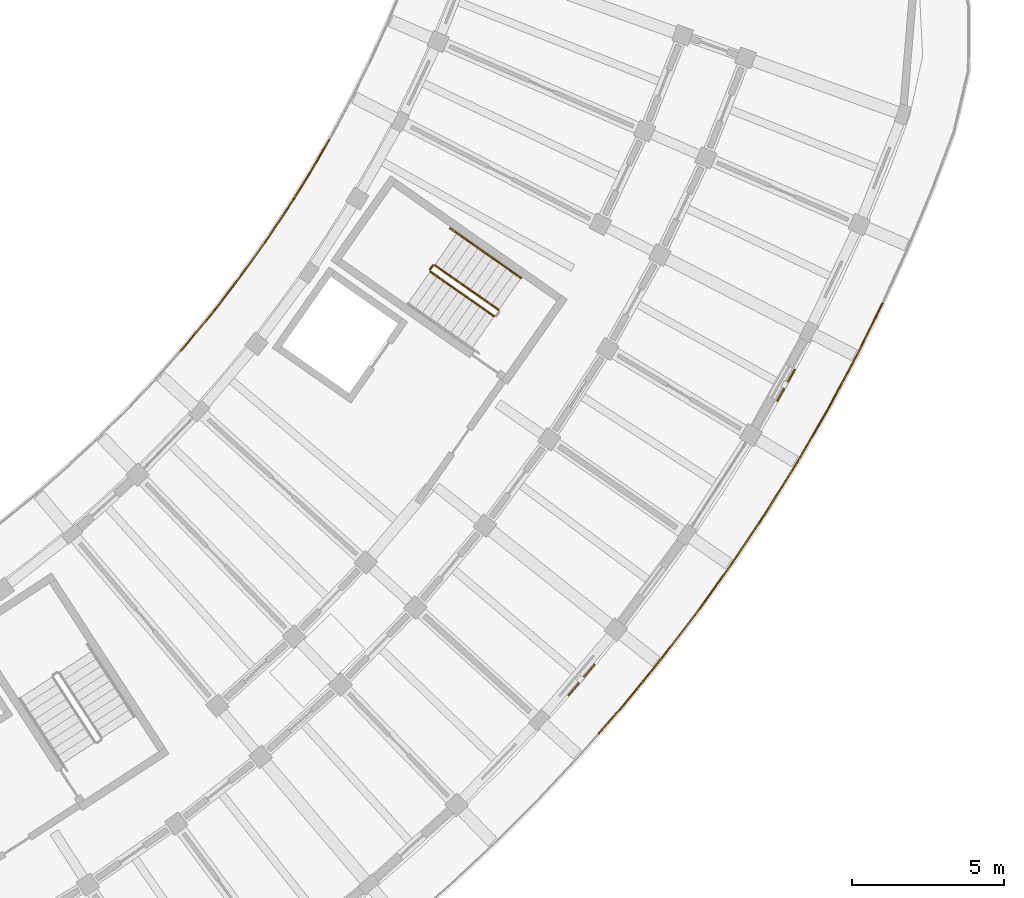
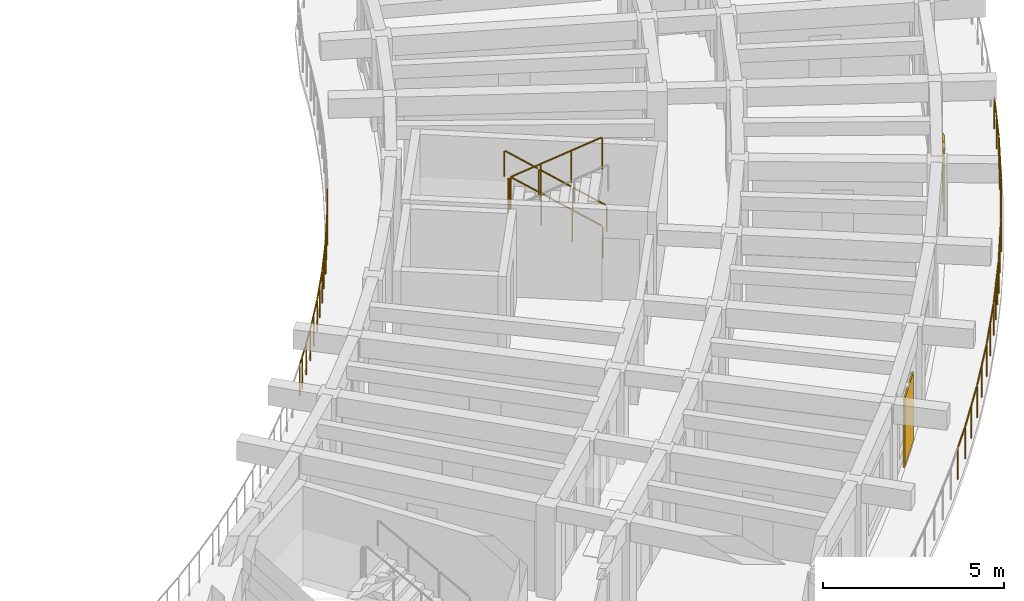
# One storey, part 73 of 78: 9 railings, 2 shading devices.
"""IFC4 building model written with IfcOpenShell, lengths in metres."""

from ifc_helpers import new_model, si_unit, direction, frame, origin, origin_2d, place, context, subcontext, project, spatial, rectangle, circle, extrude, material, layer, layer_set, type_object, element, save


model = new_model("IFC4")

# Units and contexts
model_context = context("Model", 3, precision=1e-05, world=origin(), true_north=direction((0.0, 1.0)))
body_context = subcontext(model_context, "Body", "Model", "MODEL_VIEW")
ifc_project = project(units=[si_unit("LENGTHUNIT", "METRE"), si_unit("AREAUNIT", "SQUARE_METRE"), si_unit("VOLUMEUNIT", "CUBIC_METRE"), si_unit("PLANEANGLEUNIT", "RADIAN"), si_unit("MASSUNIT", "GRAM", prefix="KILO")], contexts=[model_context])

# Site, building, storey
site_placement = place(None, origin())
site = spatial("IfcSite", under=ifc_project, at=site_placement, CompositionType="ELEMENT")
building_placement = place(site_placement, origin())
building = spatial("IfcBuilding", under=site, at=building_placement, Name="Tanwirah Colonnade Gardens", CompositionType="ELEMENT")
storey_placement = place(building_placement, frame((0.0, 0.0, 22.280029296875)))
storey = spatial("IfcBuildingStorey", under=building, at=storey_placement, Name="L06", CompositionType="ELEMENT", Elevation=22.280029296875)

# Railings
ifc_material_1 = material(Name="Precast concrete C40/50", Category="concrete")
railing_type_1 = type_object("IfcRailingType", Name="BAL-EXT110", PredefinedType="BALUSTRADE", material=ifc_material_1)
railing_1_placement = place(storey_placement, frame((153.296875, 36.604736328125, 0.0)))
element("IfcRailing", 1, at=railing_1_placement, inside=storey, type_object=railing_type_1, Name="Block D L06 Balcony Ribbon Balustrade 4", PredefinedType="BALUSTRADE", context=body_context, shape_type="SweptSolid", body=[
    extrude(circle(Radius=0.02392578125, at=origin_2d()), frame((0.020751953125, 0.0234375, 1.076171875), z_axis=(0.660292584326, 0.751008457398, 0.0), x_axis=(-0.751008457398, 0.660292584326, 0.0)), (0.0, 0.0, 1.0), 0.265869140625),
    extrude(circle(Radius=0.02392578125, at=origin_2d()), frame((0.23828125, 0.27294921875, 1.076171875), z_axis=(0.635209885743, 0.77233956331, 0.0), x_axis=(-0.77233956331, 0.635209885743, 0.0)), (0.0, 0.0, 1.0), 1.33154296875),
    extrude(circle(Radius=0.02392578125, at=origin_2d()), frame((1.124755859375, 1.352294921875, 1.076171875), z_axis=(0.609651512095, 0.792669561546, 0.0), x_axis=(-0.792669561546, 0.609651512095, 0.0)), (0.0, 0.0, 1.0), 1.33154296875),
    extrude(circle(Radius=0.02392578125, at=origin_2d()), frame((1.975341796875, 2.4599609375, 1.076171875), z_axis=(0.58342309678, 0.812168387802, 0.0), x_axis=(-0.812168387802, 0.58342309678, 0.0)), (0.0, 0.0, 1.0), 1.331298828125),
    extrude(circle(Radius=0.02392578125, at=origin_2d()), frame((2.7890625, 3.5947265625, 1.076171875), z_axis=(0.55655786635, 0.830808847692, 0.0), x_axis=(-0.830808847692, 0.55655786635, 0.0)), (0.0, 0.0, 1.0), 1.33154296875),
    extrude(circle(Radius=0.02392578125, at=origin_2d()), frame((3.5654296875, 4.755859375, 1.076171875), z_axis=(0.529022666758, 0.848607693847, 0.0), x_axis=(-0.848607693847, 0.529022666758, 0.0)), (0.0, 0.0, 1.0), 1.33154296875),
    extrude(circle(Radius=0.02392578125, at=origin_2d()), frame((4.30322265625, 5.941650390625, 1.076171875), z_axis=(0.500898301078, 0.865506147856, 0.0), x_axis=(-0.865506147856, 0.500898301078, 0.0)), (0.0, 0.0, 1.0), 1.123291015625),
    extrude(circle(Radius=0.02099609375, at=origin_2d()), origin(), (0.0, 0.0, 1.0), 1.049072265625),
    extrude(circle(Radius=0.02099609375, at=origin_2d()), frame((0.216796875, 0.24658203125, 0.0)), (0.0, 0.0, 1.0), 1.049072265625),
    extrude(circle(Radius=0.02099609375, at=origin_2d()), frame((0.6611328125, 0.787109375, 0.0)), (0.0, 0.0, 1.0), 1.049072265625),
    extrude(circle(Radius=0.02099609375, at=origin_2d()), frame((1.10400390625, 1.325439453125, 0.0)), (0.0, 0.0, 1.0), 1.049072265625),
    extrude(circle(Radius=0.02099609375, at=origin_2d()), frame((1.53076171875, 1.8798828125, 0.0)), (0.0, 0.0, 1.0), 1.049072265625),
    extrude(circle(Radius=0.02099609375, at=origin_2d()), frame((1.95556640625, 2.432373046875, 0.0)), (0.0, 0.0, 1.0), 1.049072265625),
    extrude(circle(Radius=0.02099609375, at=origin_2d()), frame((2.36376953125, 3.00048828125, 0.0)), (0.0, 0.0, 1.0), 1.049072265625),
    extrude(circle(Radius=0.02099609375, at=origin_2d()), frame((2.770263671875, 3.566650390625, 0.0)), (0.0, 0.0, 1.0), 1.049072265625),
    extrude(circle(Radius=0.02099609375, at=origin_2d()), frame((3.15966796875, 4.14794921875, 0.0)), (0.0, 0.0, 1.0), 1.049072265625),
    extrude(circle(Radius=0.02099609375, at=origin_2d()), frame((3.547607421875, 4.72705078125, 0.0)), (0.0, 0.0, 1.0), 1.049072265625),
    extrude(circle(Radius=0.02099609375, at=origin_2d()), frame((3.91748046875, 5.32080078125, 0.0)), (0.0, 0.0, 1.0), 1.049072265625),
    extrude(circle(Radius=0.02099609375, at=origin_2d()), frame((4.286376953125, 5.912353515625, 0.0)), (0.0, 0.0, 1.0), 1.049072265625),
    extrude(circle(Radius=0.02099609375, at=origin_2d()), frame((4.881591796875, 6.94091796875, 0.0)), (0.0, 0.0, 1.0), 1.049072265625),
])
railing_2_placement = place(storey_placement, frame((176.37255859375, 38.158447265625, 0.0)))
element("IfcRailing", 2, at=railing_2_placement, inside=storey, type_object=railing_type_1, Name="Block D L06 Balcony Ribbon Balustrade 10", PredefinedType="BALUSTRADE", context=body_context, shape_type="SweptSolid", body=[
    extrude(circle(Radius=0.02392578125, at=origin_2d()), frame((-0.013916015625, -0.028076171875, 1.076171875), z_axis=(-0.443274654071, -0.896385843852, 0.0), x_axis=(0.896385843852, -0.443274654071, 0.0)), (0.0, 0.0, 1.0), 1.87353515625),
    extrude(circle(Radius=0.02392578125, at=origin_2d()), frame((-0.872802734375, -1.762939453125, 1.076171875), z_axis=(-0.472342962594, -0.881414843129, 0.0), x_axis=(0.881414843129, -0.472342962594, 0.0)), (0.0, 0.0, 1.0), 1.944091796875),
    extrude(circle(Radius=0.02392578125, at=origin_2d()), frame((-1.821533203125, -3.531005859375, 1.076171875), z_axis=(-0.500940340279, -0.865481816956, 0.0), x_axis=(0.865481816956, -0.500940340279, 0.0)), (0.0, 0.0, 1.0), 1.94384765625),
    extrude(circle(Radius=0.02392578125, at=origin_2d()), frame((-2.82763671875, -5.26708984375, 1.076171875), z_axis=(-0.529003375217, -0.848619719903, 0.0), x_axis=(0.848619719903, -0.529003375217, 0.0)), (0.0, 0.0, 1.0), 1.944091796875),
    extrude(circle(Radius=0.02392578125, at=origin_2d()), frame((-3.889892578125, -6.96923828125, 1.076171875), z_axis=(-0.55645804416, -0.830875709773, 0.0), x_axis=(0.830875709773, -0.55645804416, 0.0)), (0.0, 0.0, 1.0), 0.48193359375),
    extrude(circle(Radius=0.02099609375, at=origin_2d()), origin(), (0.0, 0.0, 1.0), 1.049072265625),
    extrude(circle(Radius=0.02099609375, at=origin_2d()), frame((-0.42919921875, -0.86767578125, 0.0)), (0.0, 0.0, 1.0), 1.049072265625),
    extrude(circle(Radius=0.02099609375, at=origin_2d()), frame((-0.858154296875, -1.7353515625, 0.0)), (0.0, 0.0, 1.0), 1.049072265625),
    extrude(circle(Radius=0.02099609375, at=origin_2d()), frame((-1.33203125, -2.61962890625, 0.0)), (0.0, 0.0, 1.0), 1.049072265625),
    extrude(circle(Radius=0.02099609375, at=origin_2d()), frame((-1.805908203125, -3.50390625, 0.0)), (0.0, 0.0, 1.0), 1.049072265625),
    extrude(circle(Radius=0.02099609375, at=origin_2d()), frame((-2.30859375, -4.3720703125, 0.0)), (0.0, 0.0, 1.0), 1.049072265625),
    extrude(circle(Radius=0.02099609375, at=origin_2d()), frame((-2.81103515625, -5.240478515625, 0.0)), (0.0, 0.0, 1.0), 1.049072265625),
    extrude(circle(Radius=0.02099609375, at=origin_2d()), frame((-3.341796875, -6.091796875, 0.0)), (0.0, 0.0, 1.0), 1.049072265625),
    extrude(circle(Radius=0.02099609375, at=origin_2d()), frame((-3.87255859375, -6.943359375, 0.0)), (0.0, 0.0, 1.0), 1.049072265625),
    extrude(circle(Radius=0.02099609375, at=origin_2d()), frame((-4.175537109375, -7.395751953125, 0.0)), (0.0, 0.0, 1.0), 1.049072265625),
])
railing_3_placement = place(storey_placement, frame((172.197021484375, 30.7626953125, 0.0)))
element("IfcRailing", 3, at=railing_3_placement, inside=storey, type_object=railing_type_1, Name="Block D L06 Balcony Ribbon Balustrade 11", PredefinedType="BALUSTRADE", context=body_context, shape_type="SweptSolid", body=[
    extrude(circle(Radius=0.02392578125, at=origin_2d()), frame((-0.017333984375, -0.02587890625, 1.076171875), z_axis=(-0.556509860912, -0.83084100447, 0.0), x_axis=(0.83084100447, -0.556509860912, 0.0)), (0.0, 0.0, 1.0), 1.399658203125),
    extrude(circle(Radius=0.02392578125, at=origin_2d()), frame((-0.83203125, -1.240234375, 1.076171875), z_axis=(-0.583285007996, -0.812267566413, 0.0), x_axis=(0.812267566413, -0.583285007996, 0.0)), (0.0, 0.0, 1.0), 1.944091796875),
    extrude(circle(Radius=0.02392578125, at=origin_2d()), frame((-2.003173828125, -2.869384765625, 1.076171875), z_axis=(-0.609669601555, -0.7926556484, 0.0), x_axis=(0.7926556484, -0.609669601555, 0.0)), (0.0, 0.0, 1.0), 1.944091796875),
    extrude(circle(Radius=0.02392578125, at=origin_2d()), frame((-3.227294921875, -4.45947265625, 1.076171875), z_axis=(-0.635216698846, -0.77233395983, 0.0), x_axis=(0.77233395983, -0.635216698846, 0.0)), (0.0, 0.0, 1.0), 1.944091796875),
    extrude(circle(Radius=0.02392578125, at=origin_2d()), frame((-4.5029296875, -6.008544921875, 1.076171875), z_axis=(-0.660184335314, -0.751103616957, 0.0), x_axis=(0.751103616957, -0.660184335314, 0.0)), (0.0, 0.0, 1.0), 0.955078125),
    extrude(circle(Radius=0.02099609375, at=origin_2d()), origin(), (0.0, 0.0, 1.0), 1.049072265625),
    extrude(circle(Radius=0.02099609375, at=origin_2d()), frame((-0.40673828125, -0.607421875, 0.0)), (0.0, 0.0, 1.0), 1.049072265625),
    extrude(circle(Radius=0.02099609375, at=origin_2d()), frame((-0.813720703125, -1.21484375, 0.0)), (0.0, 0.0, 1.0), 1.049072265625),
    extrude(circle(Radius=0.02099609375, at=origin_2d()), frame((-1.39892578125, -2.02978515625, 0.0)), (0.0, 0.0, 1.0), 1.049072265625),
    extrude(circle(Radius=0.02099609375, at=origin_2d()), frame((-1.984130859375, -2.8447265625, 0.0)), (0.0, 0.0, 1.0), 1.049072265625),
    extrude(circle(Radius=0.02099609375, at=origin_2d()), frame((-2.595703125, -3.64013671875, 0.0)), (0.0, 0.0, 1.0), 1.049072265625),
    extrude(circle(Radius=0.02099609375, at=origin_2d()), frame((-3.20751953125, -4.435302734375, 0.0)), (0.0, 0.0, 1.0), 1.049072265625),
    extrude(circle(Radius=0.02099609375, at=origin_2d()), frame((-3.8447265625, -5.210205078125, 0.0)), (0.0, 0.0, 1.0), 1.049072265625),
    extrude(circle(Radius=0.02099609375, at=origin_2d()), frame((-4.482177734375, -5.985107421875, 0.0)), (0.0, 0.0, 1.0), 1.049072265625),
    extrude(circle(Radius=0.02099609375, at=origin_2d()), frame((-5.154052734375, -6.74951171875, 0.0)), (0.0, 0.0, 1.0), 1.049072265625),
])
ifc_material_2 = material(Name="Powder-coated galvanized steel", Category="steel")
railing_type_2 = type_object("IfcRailingType", Name="GRD-ST110", PredefinedType="GUARDRAIL", material=ifc_material_2)
railing_4_placement = place(storey_placement, frame((163.751220703125, 37.94677734375, 0.16796875)))
element("IfcRailing", 4, at=railing_4_placement, inside=storey, type_object=railing_type_2, Name="L06 ST-D2 stair guard 1", PredefinedType="GUARDRAIL", context=body_context, shape_type="SweptSolid", body=[
    extrude(circle(Radius=0.02392578125, at=origin_2d()), frame((-0.02197265625, 0.015380859375, 1.092041015625), z_axis=(-0.705672637115, 0.494118441931, 0.507812066193), x_axis=(-0.573577325805, -0.819151421486, 0.0)), (0.0, 0.0, 1.0), 2.914794921875),
    extrude(circle(Radius=0.02099609375, at=origin_2d()), origin(), (0.0, 0.0, 1.0), 1.049072265625),
    extrude(circle(Radius=0.02099609375, at=origin_2d()), frame((-0.700439453125, 0.490478515625, 0.50390625)), (0.0, 0.0, 1.0), 1.049072265625),
    extrude(circle(Radius=0.02099609375, at=origin_2d()), frame((-1.400634765625, 0.980712890625, 1.008056640625)), (0.0, 0.0, 1.0), 1.049072265625),
    extrude(circle(Radius=0.02099609375, at=origin_2d()), frame((-2.10107421875, 1.47119140625, 1.511962890625)), (0.0, 0.0, 1.0), 1.049072265625),
])
railing_5_placement = place(storey_placement, frame((161.580322265625, 39.40576171875, 1.679931640625)))
element("IfcRailing", 5, at=railing_5_placement, inside=storey, type_object=railing_type_2, Name="L06 ST-D2 stair guard 2", PredefinedType="GUARDRAIL", context=body_context, shape_type="SweptSolid", body=[
    extrude(circle(Radius=0.02392578125, at=origin_2d()), frame((-0.017822265625, -0.025634765625, 1.076171875), z_axis=(-0.572539769307, -0.819876949647, 0.0), x_axis=(0.819876949647, -0.572539769307, 0.0)), (0.0, 0.0, 1.0), 0.097412109375),
    extrude(circle(Radius=0.02099609375, at=origin_2d()), origin(), (0.0, 0.0, 1.0), 1.049072265625),
    extrude(circle(Radius=0.02099609375, at=origin_2d()), frame((-0.091552734375, -0.131103515625, 0.0)), (0.0, 0.0, 1.0), 1.049072265625),
])
railing_6_placement = place(storey_placement, frame((161.5009765625, 39.205078125, 1.847900390625)))
element("IfcRailing", 6, at=railing_6_placement, inside=storey, type_object=railing_type_2, Name="L06 ST-D2 stair guard 3", PredefinedType="GUARDRAIL", context=body_context, shape_type="SweptSolid", body=[
    extrude(circle(Radius=0.02392578125, at=origin_2d()), frame((0.02197265625, -0.015380859375, 1.092041015625), z_axis=(0.705672637115, -0.494118441931, 0.507812066193), x_axis=(0.573577325805, 0.819151421486, 0.0)), (0.0, 0.0, 1.0), 2.914794921875),
    extrude(circle(Radius=0.02099609375, at=origin_2d()), origin(), (0.0, 0.0, 1.0), 1.049072265625),
    extrude(circle(Radius=0.02099609375, at=origin_2d()), frame((0.700439453125, -0.490478515625, 0.50390625)), (0.0, 0.0, 1.0), 1.049072265625),
    extrude(circle(Radius=0.02099609375, at=origin_2d()), frame((1.400634765625, -0.980712890625, 1.008056640625)), (0.0, 0.0, 1.0), 1.049072265625),
    extrude(circle(Radius=0.02099609375, at=origin_2d()), frame((2.10107421875, -1.47119140625, 1.511962890625)), (0.0, 0.0, 1.0), 1.049072265625),
])
ifc_material_3 = material(Name="Brushed bronze stainless steel", Category="steel")
railing_type_3 = type_object("IfcRailingType", Name="HR-ST090", PredefinedType="HANDRAIL", material=ifc_material_3)
railing_7_placement = place(storey_placement, frame((164.4853515625, 38.995361328125, 0.16796875)))
element("IfcRailing", 7, at=railing_7_placement, inside=storey, type_object=railing_type_3, Name="L06 ST-D2 stair handrail 1", PredefinedType="HANDRAIL", context=body_context, shape_type="SweptSolid", body=[
    extrude(circle(Radius=0.02392578125, at=origin_2d()), frame((-0.02197265625, 0.015380859375, 0.891845703125), z_axis=(-0.703686044561, 0.492823109966, 0.511811814023), x_axis=(-0.57365206981, -0.819099079967, 0.0)), (0.0, 0.0, 1.0), 1.043212890625),
    extrude(circle(Radius=0.02099609375, at=origin_2d()), origin(), (0.0, 0.0, 1.0), 0.848876953125),
    extrude(circle(Radius=0.02099609375, at=origin_2d()), frame((-0.778076171875, 0.544921875, 0.56591796875)), (0.0, 0.0, 1.0), 0.848876953125),
])
railing_8_placement = place(storey_placement, frame((163.707275390625, 39.540283203125, 0.73388671875)))
element("IfcRailing", 8, at=railing_8_placement, inside=storey, type_object=railing_type_3, Name="L06 ST-D2 stair handrail 2", PredefinedType="HANDRAIL", context=body_context, shape_type="SweptSolid", body=[
    extrude(circle(Radius=0.02392578125, at=origin_2d()), frame((-0.02197265625, 0.015380859375, 0.891845703125), z_axis=(-0.703717970253, 0.492690875033, 0.511895223656), x_axis=(-0.573531324472, -0.819183630115, 0.0)), (0.0, 0.0, 1.0), 1.04345703125),
    extrude(circle(Radius=0.02099609375, at=origin_2d()), origin(), (0.0, 0.0, 1.0), 0.848876953125),
    extrude(circle(Radius=0.02099609375, at=origin_2d()), frame((-0.7783203125, 0.544921875, 0.566162109375)), (0.0, 0.0, 1.0), 0.848876953125),
])
railing_9_placement = place(storey_placement, frame((162.928955078125, 40.085205078125, 1.300048828125)))
element("IfcRailing", 9, at=railing_9_placement, inside=storey, type_object=railing_type_3, Name="L06 ST-D2 stair handrail 3", PredefinedType="HANDRAIL", context=body_context, shape_type="SweptSolid", body=[
    extrude(circle(Radius=0.02392578125, at=origin_2d()), frame((-0.02197265625, 0.015380859375, 0.891845703125), z_axis=(-0.703686044561, 0.492823109966, 0.511811814023), x_axis=(-0.57365206981, -0.819099079967, 0.0)), (0.0, 0.0, 1.0), 1.043212890625),
    extrude(circle(Radius=0.02099609375, at=origin_2d()), origin(), (0.0, 0.0, 1.0), 0.848876953125),
    extrude(circle(Radius=0.02099609375, at=origin_2d()), frame((-0.778076171875, 0.544921875, 0.56591796875)), (0.0, 0.0, 1.0), 0.848876953125),
])

# Shading devices
ifc_material_4 = material(Name="Perforated architectural bronze aluminium", Category="aluminium")
ifc_layer = layer(ifc_material_4, 0.044921875)
ifc_layer_set = layer_set([ifc_layer], Name="Perforated architectural bronze aluminium")
shading_device_type = type_object("IfcShadingDeviceType", Name="SHD-MSH1", PredefinedType="JALOUSIE", material=ifc_layer_set)
shading_device_1_placement = place(storey_placement, frame((166.476806640625, 25.771240234375, 0.0), z_axis=(0.0, 0.0, 1.0), x_axis=(0.647787018861, 0.761821487092, 0.0)))
element("IfcShadingDevice", 10, at=shading_device_1_placement, inside=storey, type_object=shading_device_type, Name="Bronze mashrabiya solar screen D-L06-09", PredefinedType="JALOUSIE", context=body_context, shape_type="SweptSolid", body=[
    extrude(rectangle(XDim=1.35009765625, YDim=0.044921875, at=origin_2d()), origin(), (0.0, 0.0, 1.0), 2.300048828125),
])
shading_device_2_placement = place(storey_placement, frame((173.202392578125, 35.46630859375, 0.0), z_axis=(0.0, 0.0, 1.0), x_axis=(0.486717384336, 0.873559492985, 0.0)))
element("IfcShadingDevice", 11, at=shading_device_2_placement, inside=storey, type_object=shading_device_type, Name="Bronze mashrabiya solar screen D-L06-12", PredefinedType="JALOUSIE", context=body_context, shape_type="SweptSolid", body=[
    extrude(rectangle(XDim=1.199951171875, YDim=0.044921875, at=origin_2d()), origin(), (0.0, 0.0, 1.0), 2.159912109375),
])

save(model, "model.ifc")
